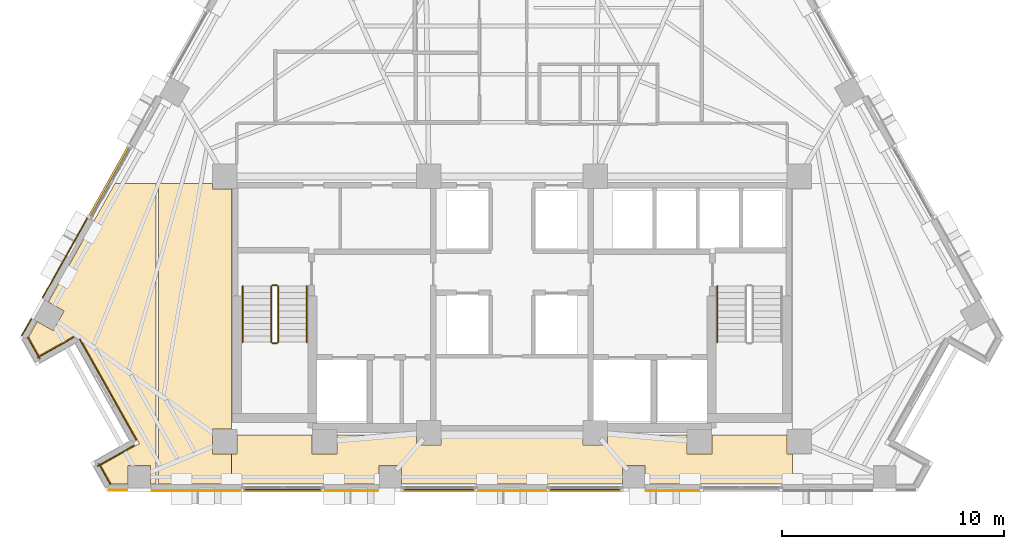
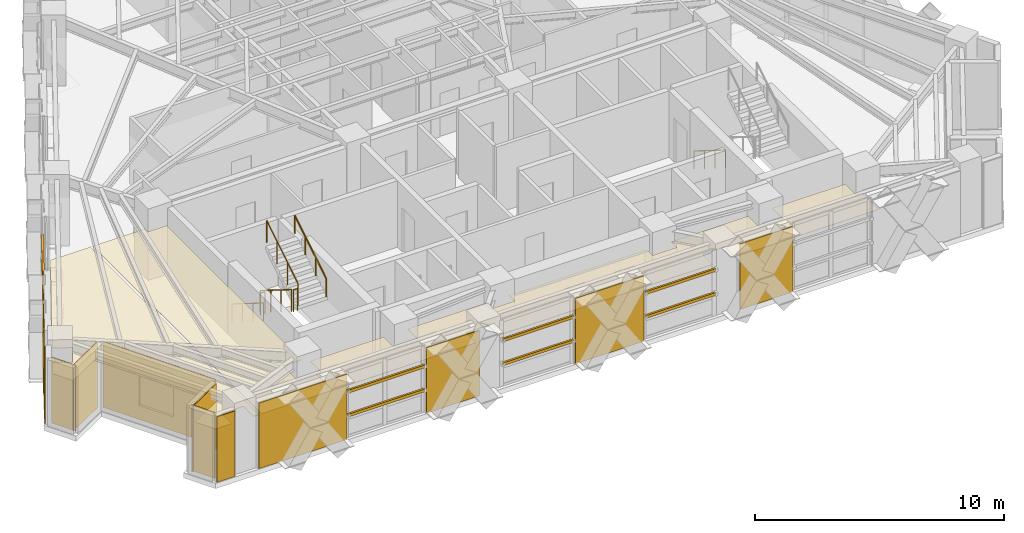
# One storey, part 11 of 14: 15 coverings, 8 shading devices, 7 railings.
"""IFC4 building model written with IfcOpenShell, lengths in metres."""

import ifcopenshell
import ifcopenshell.guid

model = None  # the IFC model being written
_history = None  # IfcOwnerHistory: only IFC2X3 demands one
_inside = {}  # id of a spatial element -> (the spatial element, [elements in it])
_under = {}  # id of a project, library or spatial element -> (it, [spatial elements below it])
_declared = {}  # id of a project -> (the project, [libraries it declares])
_typed = {}  # id of a type object -> (the type object, [elements of that type])
_made_of = {}  # id of a material, layer set ... -> (it, [elements and type objects made of it])


def new_model(schema):
    """Start an empty IFC model of exactly this schema.

    Asked for "IFC4X3", IfcOpenShell would pick the latest addendum, in which some entities
    have other attributes; the version numbers below select the first issue.
    IFC2X3 requires an IfcOwnerHistory on every rooted entity: one is made here for all.
    """
    global model, _history
    if schema == "IFC4X3":
        model = ifcopenshell.file(schema_version=(4, 3, 0, 0))
    else:
        model = ifcopenshell.file(schema=schema)
    _inside.clear()
    _under.clear()
    _declared.clear()
    _typed.clear()
    _made_of.clear()
    _history = None
    if model.schema == "IFC2X3":
        org = make("IfcOrganization", Name="unknown")
        user = make(
            "IfcPersonAndOrganization",
            ThePerson=make("IfcPerson", FamilyName="unknown"),
            TheOrganization=org,
        )
        app = make(
            "IfcApplication",
            ApplicationDeveloper=org,
            Version="unknown",
            ApplicationFullName="unknown",
            ApplicationIdentifier="unknown",
        )
        _history = make(
            "IfcOwnerHistory",
            OwningUser=user,
            OwningApplication=app,
            ChangeAction="ADDED",
            CreationDate=0,
        )
    return model


def make(cls, **values):
    """One entity of the class cls with the attributes given. An attribute that is None is left unset."""
    return model.create_entity(
        cls, **{name: value for name, value in values.items() if value is not None}
    )


def rooted(cls, **values):
    """An entity with a GlobalId (a new one), such as an element, a storey or a relation."""
    return make(cls, GlobalId=ifcopenshell.guid.new(), OwnerHistory=_history, **values)


def si_unit(unit_type, name, prefix=None):
    """IfcSIUnit, for example si_unit("LENGTHUNIT", "METRE", prefix="MILLI")."""
    return make("IfcSIUnit", UnitType=unit_type, Prefix=prefix, Name=name)


def assignment(units):
    """IfcUnitAssignment: the units of a project."""
    return None if units is None else make("IfcUnitAssignment", Units=units)


def point(xyz):
    """IfcCartesianPoint."""
    return None if xyz is None else make("IfcCartesianPoint", Coordinates=xyz)


def direction(xyz):
    """IfcDirection."""
    return None if xyz is None else make("IfcDirection", DirectionRatios=xyz)


def frame(location, z_axis=None, x_axis=None):
    """IfcAxis2Placement3D, a coordinate frame: its origin and axes. An axis left out is left unset."""
    return make(
        "IfcAxis2Placement3D",
        Location=point(location),
        Axis=direction(z_axis),
        RefDirection=direction(x_axis),
    )


def frame_2d(location, x_axis=None):
    """IfcAxis2Placement2D, a coordinate frame in the plane: its origin and x axis."""
    return make(
        "IfcAxis2Placement2D", Location=point(location), RefDirection=direction(x_axis)
    )


def origin():
    """The frame at (0, 0, 0) with its axes left unset."""
    return frame((0.0, 0.0, 0.0))


def origin_2d():
    """The frame at (0, 0) in the plane with its x axis left unset."""
    return frame_2d((0.0, 0.0))


def place(relative_to, where):
    """IfcLocalPlacement: puts the frame where relative to a parent placement (None: the world)."""
    return make(
        "IfcLocalPlacement", PlacementRelTo=relative_to, RelativePlacement=where
    )


def context(
    kind, dimensions, precision=None, world=None, true_north=None, identifier=None
):
    """IfcGeometricRepresentationContext, for example the 3D "Model" context."""
    return make(
        "IfcGeometricRepresentationContext",
        ContextIdentifier=identifier,
        ContextType=kind,
        CoordinateSpaceDimension=dimensions,
        Precision=precision,
        WorldCoordinateSystem=world,
        TrueNorth=true_north,
    )


def subcontext(parent, identifier, kind, view, scale=None):
    """IfcGeometricRepresentationSubContext, for example "Body" below "Model"."""
    return make(
        "IfcGeometricRepresentationSubContext",
        ContextIdentifier=identifier,
        ContextType=kind,
        ParentContext=parent,
        TargetScale=scale,
        TargetView=view,
    )


def project(units=None, contexts=None):
    """IfcProject with its units and contexts."""
    return rooted(
        "IfcProject",
        Name="project",
        RepresentationContexts=contexts,
        UnitsInContext=assignment(units),
    )


def spatial(cls, under=None, at=None, **own):
    """A site, building, storey or space (cls), placed at a placement, below another one or the project."""
    s = rooted(cls, ObjectPlacement=at, **own)
    if under is not None:
        _under.setdefault(under.id(), (under, []))[1].append(s)
    return s


def polyline(points):
    """IfcPolyline through the points."""
    return make("IfcPolyline", Points=[point(p) for p in points])


def profile(cls, at=None, kind="AREA", **sizes):
    """A parametric profile (cls). Its sizes go by their IFC names, for example OverallWidth=200.0."""
    return make(cls, ProfileType=kind, Position=at, **sizes)


def rectangle(**sizes):
    """IfcRectangleProfileDef."""
    return profile("IfcRectangleProfileDef", **sizes)


def circle(**sizes):
    """IfcCircleProfileDef."""
    return profile("IfcCircleProfileDef", **sizes)


def outline(outer, holes=None, kind="AREA"):
    """IfcArbitraryClosedProfileDef: a profile drawn as a closed curve; with holes, ...WithVoids."""
    if holes is None:
        return make("IfcArbitraryClosedProfileDef", ProfileType=kind, OuterCurve=outer)
    return make(
        "IfcArbitraryProfileDefWithVoids",
        ProfileType=kind,
        OuterCurve=outer,
        InnerCurves=holes,
    )


def extrude(swept, where, along, depth):
    """IfcExtrudedAreaSolid: the profile swept, set in the frame where, extruded along a direction by depth."""
    return make(
        "IfcExtrudedAreaSolid",
        SweptArea=swept,
        Position=where,
        ExtrudedDirection=direction(along),
        Depth=depth,
    )


def shape(context_of_items, identifier, shape_type, items):
    """IfcShapeRepresentation: the items that make up one representation, for example the "Body"."""
    return make(
        "IfcShapeRepresentation",
        ContextOfItems=context_of_items,
        RepresentationIdentifier=identifier,
        RepresentationType=shape_type,
        Items=items,
    )


def material(Name=None, Category=None):
    """IfcMaterial."""
    return make("IfcMaterial", Name=Name, Category=Category)


def layer(
    of_material, thickness, ventilated=None, Name=None, Category=None, Priority=None
):
    """IfcMaterialLayer: one layer of a wall or slab, of a material (None: an air gap)."""
    return make(
        "IfcMaterialLayer",
        Material=of_material,
        LayerThickness=thickness,
        IsVentilated=ventilated,
        Name=Name,
        Category=Category,
        Priority=Priority,
    )


def layer_set(layers, Name=None):
    """IfcMaterialLayerSet."""
    return make("IfcMaterialLayerSet", MaterialLayers=layers, LayerSetName=Name)


def material_profile(
    of_material, cross_section, Name=None, Category=None, Priority=None
):
    """IfcMaterialProfile: a cross section and its material."""
    return make(
        "IfcMaterialProfile",
        Name=Name,
        Material=of_material,
        Profile=cross_section,
        Priority=Priority,
        Category=Category,
    )


def profile_set(profiles, Name=None, composite=None):
    """IfcMaterialProfileSet."""
    return make(
        "IfcMaterialProfileSet",
        Name=Name,
        MaterialProfiles=profiles,
        CompositeProfile=composite,
    )


def made_of(thing, what):
    """Note that an element or type object is made of a material, layer set ...; save() writes the relation."""
    if what is not None:
        _made_of.setdefault(what.id(), (what, []))[1].append(thing)
    return thing


def type_object(cls, material=None, **own):
    """A type object (cls), such as IfcWallType, which elements share."""
    return made_of(rooted(cls, **own), material)


def element(
    cls,
    number,
    at=None,
    inside=None,
    cuts=None,
    type_object=None,
    material=None,
    context=None,
    identifier="Body",
    shape_type=None,
    held_by="IfcProductDefinitionShape",
    body=None,
    shapes=None,
    **own,
):
    """One element of the class cls, such as IfcWall. Its Tag is "e" and its number.

    at: its placement. inside: the storey or other place that contains it. cuts: it is an
    opening in that element (IfcRelVoidsElement). A single representation is given by context,
    identifier, shape_type and body (its items); several are given by shapes. held_by: the class
    of the entity that holds the representations. save() writes the other relations.
    """
    e = rooted(cls, Tag="e%d" % number, ObjectPlacement=at, **own)
    if body is not None:
        shapes = [shape(context, identifier, shape_type, body)]
    if shapes is not None:
        e.Representation = make(held_by, Representations=shapes)
    if inside is not None:
        _inside.setdefault(inside.id(), (inside, []))[1].append(e)
    if cuts is not None:
        rooted(
            "IfcRelVoidsElement", RelatingBuildingElement=cuts, RelatedOpeningElement=e
        )
    if type_object is not None:
        _typed.setdefault(type_object.id(), (type_object, []))[1].append(e)
    return made_of(e, material)


def aggregate(whole, parts):
    """IfcRelAggregates: a whole, such as a stair, and the parts it consists of."""
    return rooted("IfcRelAggregates", RelatingObject=whole, RelatedObjects=parts)


def save(model, path):
    """Write the relations noted so far, then the file.

    IfcRelAggregates (storeys below a building ...), IfcRelContainedInSpatialStructure (elements
    in a storey), IfcRelDefinesByType, IfcRelAssociatesMaterial and IfcRelDeclares: one each for
    every whole, place, type object, material and project.
    """
    for whole, parts in _under.values():
        aggregate(whole, parts)
    for where, things in _inside.values():
        rooted(
            "IfcRelContainedInSpatialStructure",
            RelatedElements=things,
            RelatingStructure=where,
        )
    for kind, things in _typed.values():
        rooted("IfcRelDefinesByType", RelatedObjects=things, RelatingType=kind)
    for what, things in _made_of.values():
        rooted("IfcRelAssociatesMaterial", RelatedObjects=things, RelatingMaterial=what)
    for by, libraries in _declared.values():
        rooted("IfcRelDeclares", RelatingContext=by, RelatedDefinitions=libraries)
    model.write(path)


model = new_model("IFC4")

# Units and contexts
model_context = context("Model", 3, precision=1e-05, world=origin(), true_north=direction((0.0, 1.0)))
body_context = subcontext(model_context, "Body", "Model", "MODEL_VIEW")
ifc_project = project(units=[si_unit("LENGTHUNIT", "METRE"), si_unit("AREAUNIT", "SQUARE_METRE"), si_unit("VOLUMEUNIT", "CUBIC_METRE"), si_unit("PLANEANGLEUNIT", "RADIAN"), si_unit("MASSUNIT", "GRAM", prefix="KILO")], contexts=[model_context])

# Site, building, storey
site_placement = place(None, origin())
site = spatial("IfcSite", under=ifc_project, at=site_placement, CompositionType="ELEMENT")
building_placement = place(site_placement, origin())
building = spatial("IfcBuilding", under=site, at=building_placement, Name="Quenlor Broadcast Tower", CompositionType="ELEMENT")
storey_placement = place(building_placement, frame((0.0, 0.0, 144.0)))
storey = spatial("IfcBuildingStorey", under=building, at=storey_placement, Name="L39", CompositionType="ELEMENT", Elevation=144.0)

# Coverings
ifc_material_1 = material(Name="Acoustic Mineral Fibre Board", Category="other")
ifc_layer_1 = layer(ifc_material_1, 0.02490234375)
ifc_layer_set_1 = layer_set([ifc_layer_1], Name="Acoustic Perforated Mineral Tile Ceiling 25")
covering_type_1 = type_object("IfcCoveringType", Name="Acoustic Perforated Mineral Tile Ceiling 25", PredefinedType="CEILING", material=ifc_layer_set_1)
covering_1_placement = place(storey_placement, frame((0.0, 0.0, 2.375)))
element("IfcCovering", 1, at=covering_1_placement, inside=storey, type_object=covering_type_1, Name="L39 Acoustic Ceiling L39-34-4", PredefinedType="CEILING", context=body_context, shape_type="SweptSolid", body=[
    extrude(outline(polyline([(-13.508056640625, -5.35791015625), (-12.64990234375, -5.35791015625), (-12.64990234375, -16.19189453125), (-13.508056640625, -16.19189453125), (-13.508056640625, -17.30810546875), (-12.64990234375, -17.30810546875), (-12.64990234375, -18.659912109375), (-15.93994140625, -18.659912109375), (-15.93994140625, -5.1201171875), (-13.508056640625, -5.1201171875), (-13.508056640625, -5.35791015625)])), origin(), (0.0, 0.0, 1.0), 0.02490234375),
])
covering_2_placement = place(storey_placement, frame((0.0, 0.0, 2.375)))
element("IfcCovering", 2, at=covering_2_placement, inside=storey, type_object=covering_type_1, Name="L39 Acoustic Ceiling L39-34-5", PredefinedType="CEILING", context=body_context, shape_type="SweptSolid", body=[
    extrude(outline(polyline([(-16.06005859375, -18.659912109375), (-16.30029296875, -18.659912109375), (-16.30029296875, -17.842041015625), (-17.31640625, -17.842041015625), (-17.31640625, -18.659912109375), (-18.071044921875, -18.659912109375), (-18.538818359375, -17.82861328125), (-16.795654296875, -16.847900390625), (-19.580322265625, -11.8974609375), (-21.323486328125, -12.878173828125), (-21.794921875, -12.0400390625), (-21.406982421875, -11.350341796875), (-20.694091796875, -11.751220703125), (-20.19580078125, -10.86572265625), (-20.90869140625, -10.46484375), (-17.90234375, -5.1201171875), (-16.06005859375, -5.1201171875), (-16.06005859375, -18.659912109375)])), origin(), (0.0, 0.0, 1.0), 0.02490234375),
])
covering_3_placement = place(storey_placement, frame((0.0, 0.0, 2.375)))
element("IfcCovering", 3, at=covering_3_placement, inside=storey, type_object=covering_type_1, Name="L39 Acoustic Ceiling L39-34-7", PredefinedType="CEILING", context=body_context, shape_type="SweptSolid", body=[
    extrude(outline(polyline([(-12.39208984375, -17.30810546875), (-12.39208984375, -16.449951171875), (-9.008056640625, -16.449951171875), (-9.008056640625, -17.30810546875), (-7.89208984375, -17.30810546875), (-7.89208984375, -16.449951171875), (-4.30810546875, -16.449951171875), (-4.30810546875, -16.907958984375), (-3.19189453125, -16.907958984375), (-3.19189453125, -16.449951171875), (3.19189453125, -16.449951171875), (3.19189453125, -16.907958984375), (4.30810546875, -16.907958984375), (4.30810546875, -16.449951171875), (7.89208984375, -16.449951171875), (7.89208984375, -17.30810546875), (9.008056640625, -17.30810546875), (9.008056640625, -16.449951171875), (12.39208984375, -16.449951171875), (12.39208984375, -17.30810546875), (12.64990234375, -17.30810546875), (12.64990234375, -18.659912109375), (5.989013671875, -18.659912109375), (5.989013671875, -17.842041015625), (4.972900390625, -17.842041015625), (4.972900390625, -18.659912109375), (-4.972900390625, -18.659912109375), (-4.972900390625, -17.842041015625), (-5.989013671875, -17.842041015625), (-5.989013671875, -18.659912109375), (-12.64990234375, -18.659912109375), (-12.64990234375, -17.30810546875), (-12.39208984375, -17.30810546875)])), origin(), (0.0, 0.0, 1.0), 0.02490234375),
])

# Shading devices
ifc_material_2 = material(Name="Architectural Terracotta Ceramic", Category="masonry")
ifc_material_profile = material_profile(ifc_material_2, rectangle(XDim=0.090087890625, YDim=0.139892578125, at=origin_2d()))
ifc_profile_set = profile_set([ifc_material_profile], Name="Architectural Terracotta Ceramic BAG90x140")
shading_device_type = type_object("IfcShadingDeviceType", Name="Copper Terracotta Baguette Solar Screen 140", PredefinedType="USERDEFINED", material=ifc_profile_set)
for number, where, z_axis, x_axis, name in (
    (4, (-8.550048828125, -18.952880859375, 1.169921875), (-1.0, 0.0, 0.0), (0.0, -1.0, 0.0), "L39 Terracotta Baguette Screen 1"),
    (5, (-8.550048828125, -18.952880859375, 2.340087890625), (-1.0, 0.0, 0.0), (0.0, -1.0, 0.0), "L39 Terracotta Baguette Screen 2"),
):
    element("IfcShadingDevice", number, at=place(storey_placement, frame(where, z_axis=z_axis, x_axis=x_axis)), inside=storey, type_object=shading_device_type, Name=name, ObjectType="BAGUETTE", PredefinedType="USERDEFINED", context=body_context, shape_type="SweptSolid", body=[
        extrude(rectangle(XDim=0.090087890625, YDim=0.139892578125, at=origin_2d()), origin(), (0.0, 0.0, 1.0), 3.56396484375),
    ])
for number, where, z_axis, x_axis, name in (
    (6, (4.926025390625, -18.952880859375, 1.169921875), (-1.0, 0.0, 0.0), (0.0, -1.0, 0.0), "L39 Terracotta Baguette Screen 1"),
    (7, (4.926025390625, -18.952880859375, 2.340087890625), (-1.0, 0.0, 0.0), (0.0, -1.0, 0.0), "L39 Terracotta Baguette Screen 2"),
    (8, (-1.662109375, -18.952880859375, 1.169921875), (-1.0, 0.0, 0.0), (0.0, -1.0, 0.0), "L39 Terracotta Baguette Screen 1"),
    (9, (-1.662109375, -18.952880859375, 2.340087890625), (-1.0, 0.0, 0.0), (0.0, -1.0, 0.0), "L39 Terracotta Baguette Screen 2"),
):
    element("IfcShadingDevice", number, at=place(storey_placement, frame(where, z_axis=z_axis, x_axis=x_axis)), inside=storey, type_object=shading_device_type, Name=name, ObjectType="BAGUETTE", PredefinedType="USERDEFINED", context=body_context, shape_type="SweptSolid", body=[
        extrude(rectangle(XDim=0.090087890625, YDim=0.139892578125, at=origin_2d()), origin(), (0.0, 0.0, 1.0), 3.263916015625),
    ])
for number, where, z_axis, x_axis, name in (
    (10, (-19.079345703125, -6.61474609375, 1.169921875), (0.490258076222, 0.871577316535, 0.0), (-0.871577316535, 0.490258076222, 0.0), "L39 Terracotta Baguette Screen 1"),
    (11, (-19.079345703125, -6.61474609375, 2.340087890625), (0.490258076222, 0.871577316535, 0.0), (-0.871577316535, 0.490258076222, 0.0), "L39 Terracotta Baguette Screen 2"),
):
    element("IfcShadingDevice", number, at=place(storey_placement, frame(where, z_axis=z_axis, x_axis=x_axis)), inside=storey, type_object=shading_device_type, Name=name, ObjectType="BAGUETTE", PredefinedType="USERDEFINED", context=body_context, shape_type="SweptSolid", body=[
        extrude(rectangle(XDim=0.090087890625, YDim=0.139892578125, at=origin_2d()), origin(), (0.0, 0.0, 1.0), 3.6640625),
    ])

# Coverings
ifc_material_3 = material(Name="Architectural Terracotta Ceramic", Category="masonry")
ifc_layer_2 = layer(ifc_material_3, 0.044921875)
ifc_layer_set_2 = layer_set([ifc_layer_2], Name="Fluted Terracotta Rainscreen Cladding Panel")
covering_type_2 = type_object("IfcCoveringType", Name="Fluted Terracotta Rainscreen Cladding Panel", PredefinedType="CLADDING", material=ifc_layer_set_2)
covering_4_placement = place(storey_placement, frame((0.0, 0.0, 0.02001953125)))
element("IfcCovering", 12, at=covering_4_placement, inside=storey, type_object=covering_type_2, Name="L39 Terracotta Rainscreen Cladding L39-SHD-SS1", PredefinedType="CLADDING", context=body_context, shape_type="SweptSolid", body=[
    extrude(outline(polyline([(-17.343505859375, -18.93701171875), (-18.179931640625, -18.93701171875), (-18.179931640625, -18.98193359375), (-17.343505859375, -18.98193359375), (-17.343505859375, -18.93701171875)])), origin(), (0.0, 0.0, 1.0), 3.2099609375),
])
covering_5_placement = place(storey_placement, frame((0.0, 0.0, 0.02001953125)))
element("IfcCovering", 13, at=covering_5_placement, inside=storey, type_object=covering_type_2, Name="L39 Terracotta Rainscreen Cladding L39-SA-SP2", PredefinedType="CLADDING", context=body_context, shape_type="SweptSolid", body=[
    extrude(outline(polyline([(8.485107421875, -18.95703125), (6.035888671875, -18.95703125), (6.035888671875, -19.001953125), (8.485107421875, -19.001953125), (8.485107421875, -18.95703125)])), origin(), (0.0, 0.0, 1.0), 3.2099609375),
])
covering_6_placement = place(storey_placement, frame((0.0, 0.0, 0.02001953125)))
element("IfcCovering", 14, at=covering_6_placement, inside=storey, type_object=covering_type_2, Name="L39 Terracotta Rainscreen Cladding L39-SC-SP1", PredefinedType="CLADDING", context=body_context, shape_type="SweptSolid", body=[
    extrude(outline(polyline([(-6.035888671875, -18.95703125), (-8.485107421875, -18.95703125), (-8.485107421875, -19.001953125), (-6.035888671875, -19.001953125), (-6.035888671875, -18.95703125)])), origin(), (0.0, 0.0, 1.0), 3.2099609375),
])
covering_7_placement = place(storey_placement, frame((0.0, 0.0, 0.02001953125)))
element("IfcCovering", 15, at=covering_7_placement, inside=storey, type_object=covering_type_2, Name="L39 Terracotta Rainscreen Cladding L39-SC-SP2", PredefinedType="CLADDING", context=body_context, shape_type="SweptSolid", body=[
    extrude(outline(polyline([(-12.178955078125, -18.95703125), (-16.25341796875, -18.95703125), (-16.25341796875, -19.001953125), (-12.178955078125, -19.001953125), (-12.178955078125, -18.95703125)])), origin(), (0.0, 0.0, 1.0), 3.2099609375),
])
covering_8_placement = place(storey_placement, frame((0.0, 0.0, 0.02001953125)))
element("IfcCovering", 16, at=covering_8_placement, inside=storey, type_object=covering_type_2, Name="L39 Terracotta Rainscreen Cladding L39-S-SP1", PredefinedType="CLADDING", context=body_context, shape_type="SweptSolid", body=[
    extrude(outline(polyline([(1.596923828125, -18.95703125), (-1.596923828125, -18.95703125), (-1.596923828125, -19.001953125), (1.596923828125, -19.001953125), (1.596923828125, -18.95703125)])), origin(), (0.0, 0.0, 1.0), 3.2099609375),
])
covering_9_placement = place(storey_placement, frame((0.0, 0.0, 0.02001953125)))
element("IfcCovering", 17, at=covering_9_placement, inside=storey, type_object=covering_type_2, Name="L39 Terracotta Rainscreen Cladding L39-SHD-NWS0", PredefinedType="CLADDING", context=body_context, shape_type="SweptSolid", body=[
    extrude(outline(polyline([(-22.0859375, -11.992431640625), (-21.66162109375, -11.23779296875), (-21.70068359375, -11.2158203125), (-22.125244140625, -11.970458984375), (-22.0859375, -11.992431640625)])), origin(), (0.0, 0.0, 1.0), 3.2099609375),
])
covering_10_placement = place(storey_placement, frame((0.0, 0.0, 0.02001953125)))
element("IfcCovering", 18, at=covering_10_placement, inside=storey, type_object=covering_type_2, Name="L39 Terracotta Rainscreen Cladding L39-NWA-SP1", PredefinedType="CLADDING", context=body_context, shape_type="SweptSolid", body=[
    extrude(outline(polyline([(-21.14453125, -10.278076171875), (-19.11474609375, -6.66943359375), (-19.154052734375, -6.6474609375), (-21.183837890625, -10.256103515625), (-21.14453125, -10.278076171875)])), origin(), (0.0, 0.0, 1.0), 3.2099609375),
])
covering_11_placement = place(storey_placement, frame((0.0, 0.0, 0.02001953125)))
element("IfcCovering", 19, at=covering_11_placement, inside=storey, type_object=covering_type_2, Name="L39 Terracotta Rainscreen Cladding L39-CNR-12", PredefinedType="CLADDING", context=body_context, shape_type="SweptSolid", body=[
    extrude(outline(polyline([(-21.864501953125, -12.0546875), (-21.309326171875, -13.0419921875), (-21.27001953125, -13.02001953125), (-21.825439453125, -12.03271484375), (-21.864501953125, -12.0546875)])), origin(), (0.0, 0.0, 1.0), 3.2099609375),
])
covering_12_placement = place(storey_placement, frame((0.0, 0.0, 0.02001953125)))
element("IfcCovering", 20, at=covering_12_placement, inside=storey, type_object=covering_type_2, Name="L39 Terracotta Rainscreen Cladding L39-CNR-13", PredefinedType="CLADDING", context=body_context, shape_type="SweptSolid", body=[
    extrude(outline(polyline([(-21.385986328125, -12.9912109375), (-19.72998046875, -12.059814453125), (-19.752197265625, -12.0205078125), (-21.408203125, -12.9521484375), (-21.385986328125, -12.9912109375)])), origin(), (0.0, 0.0, 1.0), 3.2099609375),
])
covering_13_placement = place(storey_placement, frame((0.0, 0.0, 0.02001953125)))
element("IfcCovering", 21, at=covering_13_placement, inside=storey, type_object=covering_type_2, Name="L39 Terracotta Rainscreen Cladding L39-CNR-14", PredefinedType="CLADDING", context=body_context, shape_type="SweptSolid", body=[
    extrude(outline(polyline([(-19.51708984375, -12.148681640625), (-16.9580078125, -16.6982421875), (-16.918701171875, -16.67626953125), (-19.477783203125, -12.126708984375), (-19.51708984375, -12.148681640625)])), origin(), (0.0, 0.0, 1.0), 3.2099609375),
])
covering_14_placement = place(storey_placement, frame((0.0, 0.0, 0.02001953125)))
element("IfcCovering", 22, at=covering_14_placement, inside=storey, type_object=covering_type_2, Name="L39 Terracotta Rainscreen Cladding L39-CNR-15", PredefinedType="CLADDING", context=body_context, shape_type="SweptSolid", body=[
    extrude(outline(polyline([(-17.046875, -16.911376953125), (-18.702880859375, -17.8427734375), (-18.680908203125, -17.882080078125), (-17.02490234375, -16.950439453125), (-17.046875, -16.911376953125)])), origin(), (0.0, 0.0, 1.0), 3.2099609375),
])
covering_15_placement = place(storey_placement, frame((0.0, 0.0, 0.02001953125)))
element("IfcCovering", 23, at=covering_15_placement, inside=storey, type_object=covering_type_2, Name="L39 Terracotta Rainscreen Cladding L39-CNR-16", PredefinedType="CLADDING", context=body_context, shape_type="SweptSolid", body=[
    extrude(outline(polyline([(-18.652099609375, -17.76611328125), (-18.127685546875, -18.697998046875), (-18.088623046875, -18.67578125), (-18.61279296875, -17.743896484375), (-18.652099609375, -17.76611328125)])), origin(), (0.0, 0.0, 1.0), 3.2099609375),
])

# Railings
ifc_material_4 = material(Name="Anodised Aluminium", Category="aluminium")
railing_type_1 = type_object("IfcRailingType", Name="Stainless Aluminium Wall Handrail 900", PredefinedType="HANDRAIL", material=ifc_material_4)
railing_1_placement = place(storey_placement, frame((-12.14990234375, -9.75, 0.175048828125)))
element("IfcRailing", 24, at=railing_1_placement, inside=storey, type_object=railing_type_1, Name="L39 ST-1 stair handrail 1", PredefinedType="HANDRAIL", context=body_context, shape_type="SweptSolid", body=[
    extrude(circle(Radius=0.02392578125, at=origin_2d()), frame((0.0, 0.0, 0.8759765625), z_axis=(0.0, -0.848007534815, 0.529984170421), x_axis=(1.0, 0.0, 0.0)), (0.0, 0.0, 1.0), 2.9716796875),
    extrude(circle(Radius=0.02099609375, at=origin_2d()), origin(), (0.0, 0.0, 1.0), 0.851806640625),
    extrude(circle(Radius=0.02099609375, at=origin_2d()), frame((0.0, -0.840087890625, 0.52490234375)), (0.0, 0.0, 1.0), 0.851806640625),
    extrude(circle(Radius=0.02099609375, at=origin_2d()), frame((0.0, -1.679931640625, 1.050048828125)), (0.0, 0.0, 1.0), 0.851806640625),
    extrude(circle(Radius=0.02099609375, at=origin_2d()), frame((0.0, -2.52001953125, 1.574951171875)), (0.0, 0.0, 1.0), 0.851806640625),
])
railing_2_placement = place(storey_placement, frame((-9.25, -12.27001953125, 1.925048828125)))
element("IfcRailing", 25, at=railing_2_placement, inside=storey, type_object=railing_type_1, Name="L39 ST-1 stair handrail 2", PredefinedType="HANDRAIL", context=body_context, shape_type="SweptSolid", body=[
    extrude(circle(Radius=0.02392578125, at=origin_2d()), frame((0.0, 0.0, 0.8759765625), z_axis=(0.0, 0.848007534815, 0.529984170421), x_axis=(-1.0, 0.0, 0.0)), (0.0, 0.0, 1.0), 2.9716796875),
    extrude(circle(Radius=0.02099609375, at=origin_2d()), origin(), (0.0, 0.0, 1.0), 0.851806640625),
    extrude(circle(Radius=0.02099609375, at=origin_2d()), frame((0.0, 0.840087890625, 0.52490234375)), (0.0, 0.0, 1.0), 0.851806640625),
    extrude(circle(Radius=0.02099609375, at=origin_2d()), frame((0.0, 1.679931640625, 1.050048828125)), (0.0, 0.0, 1.0), 0.851806640625),
    extrude(circle(Radius=0.02099609375, at=origin_2d()), frame((0.0, 2.52001953125, 1.574951171875)), (0.0, 0.0, 1.0), 0.851806640625),
])
railing_3_placement = place(storey_placement, frame((9.25, -9.75, 0.175048828125)))
element("IfcRailing", 26, at=railing_3_placement, inside=storey, type_object=railing_type_1, Name="L39 ST-2 stair handrail 1", PredefinedType="HANDRAIL", context=body_context, shape_type="SweptSolid", body=[
    extrude(circle(Radius=0.02392578125, at=origin_2d()), frame((0.0, 0.0, 0.8759765625), z_axis=(0.0, -0.848007534815, 0.529984170421), x_axis=(1.0, 0.0, 0.0)), (0.0, 0.0, 1.0), 2.9716796875),
    extrude(circle(Radius=0.02099609375, at=origin_2d()), origin(), (0.0, 0.0, 1.0), 0.851806640625),
    extrude(circle(Radius=0.02099609375, at=origin_2d()), frame((0.0, -0.840087890625, 0.52490234375)), (0.0, 0.0, 1.0), 0.851806640625),
    extrude(circle(Radius=0.02099609375, at=origin_2d()), frame((0.0, -1.679931640625, 1.050048828125)), (0.0, 0.0, 1.0), 0.851806640625),
    extrude(circle(Radius=0.02099609375, at=origin_2d()), frame((0.0, -2.52001953125, 1.574951171875)), (0.0, 0.0, 1.0), 0.851806640625),
])
ifc_material_5 = material(Name="Steel S355", Category="steel")
railing_type_2 = type_object("IfcRailingType", Name="Tubular Steel S355 Stair Guardrail 1100", PredefinedType="BALUSTRADE", material=ifc_material_5)
railing_4_placement = place(storey_placement, frame((-10.85009765625, -9.75, 0.175048828125)))
element("IfcRailing", 27, at=railing_4_placement, inside=storey, type_object=railing_type_2, Name="L39 ST-1 stair guard 1", PredefinedType="BALUSTRADE", context=body_context, shape_type="SweptSolid", body=[
    extrude(circle(Radius=0.02392578125, at=origin_2d()), frame((0.0, 0.0, 1.076171875), z_axis=(0.0, -0.848007534815, 0.529984170421), x_axis=(1.0, 0.0, 0.0)), (0.0, 0.0, 1.0), 2.9716796875),
    extrude(circle(Radius=0.02099609375, at=origin_2d()), origin(), (0.0, 0.0, 1.0), 1.052001953125),
    extrude(circle(Radius=0.02099609375, at=origin_2d()), frame((0.0, -0.840087890625, 0.52490234375)), (0.0, 0.0, 1.0), 1.052001953125),
    extrude(circle(Radius=0.02099609375, at=origin_2d()), frame((0.0, -1.679931640625, 1.050048828125)), (0.0, 0.0, 1.0), 1.052001953125),
    extrude(circle(Radius=0.02099609375, at=origin_2d()), frame((0.0, -2.52001953125, 1.574951171875)), (0.0, 0.0, 1.0), 1.052001953125),
])
railing_5_placement = place(storey_placement, frame((-10.800048828125, -12.320068359375, 1.75)))
element("IfcRailing", 28, at=railing_5_placement, inside=storey, type_object=railing_type_2, Name="L39 ST-1 stair guard 2", PredefinedType="BALUSTRADE", context=body_context, shape_type="SweptSolid", body=[
    extrude(circle(Radius=0.02392578125, at=origin_2d()), frame((0.0, 0.0, 1.076171875), z_axis=(1.0, 0.0, 0.0), x_axis=(0.0, 1.0, 0.0)), (0.0, 0.0, 1.0), 0.199951171875),
    extrude(circle(Radius=0.02099609375, at=origin_2d()), origin(), (0.0, 0.0, 1.0), 1.052001953125),
    extrude(circle(Radius=0.02099609375, at=origin_2d()), frame((0.199951171875, 0.0, 0.0)), (0.0, 0.0, 1.0), 1.052001953125),
])
railing_6_placement = place(storey_placement, frame((-10.550048828125, -12.27001953125, 1.925048828125)))
element("IfcRailing", 29, at=railing_6_placement, inside=storey, type_object=railing_type_2, Name="L39 ST-1 stair guard 3", PredefinedType="BALUSTRADE", context=body_context, shape_type="SweptSolid", body=[
    extrude(circle(Radius=0.02392578125, at=origin_2d()), frame((0.0, 0.0, 1.076171875), z_axis=(0.0, 0.848007534815, 0.529984170421), x_axis=(-1.0, 0.0, 0.0)), (0.0, 0.0, 1.0), 2.9716796875),
    extrude(circle(Radius=0.02099609375, at=origin_2d()), origin(), (0.0, 0.0, 1.0), 1.052001953125),
    extrude(circle(Radius=0.02099609375, at=origin_2d()), frame((0.0, 0.840087890625, 0.52490234375)), (0.0, 0.0, 1.0), 1.052001953125),
    extrude(circle(Radius=0.02099609375, at=origin_2d()), frame((0.0, 1.679931640625, 1.050048828125)), (0.0, 0.0, 1.0), 1.052001953125),
    extrude(circle(Radius=0.02099609375, at=origin_2d()), frame((0.0, 2.52001953125, 1.574951171875)), (0.0, 0.0, 1.0), 1.052001953125),
])
railing_7_placement = place(storey_placement, frame((-10.800048828125, -9.699951171875, 0.0)))
element("IfcRailing", 30, at=railing_7_placement, inside=storey, type_object=railing_type_2, Name="L39 ST-1 stair guard 4", PredefinedType="BALUSTRADE", context=body_context, shape_type="SweptSolid", body=[
    extrude(circle(Radius=0.02392578125, at=origin_2d()), frame((0.0, 0.0, 1.076171875), z_axis=(1.0, 0.0, 0.0), x_axis=(0.0, 1.0, 0.0)), (0.0, 0.0, 1.0), 0.199951171875),
    extrude(circle(Radius=0.02099609375, at=origin_2d()), origin(), (0.0, 0.0, 1.0), 1.052001953125),
    extrude(circle(Radius=0.02099609375, at=origin_2d()), frame((0.199951171875, 0.0, 0.0)), (0.0, 0.0, 1.0), 1.052001953125),
])

save(model, "model.ifc")
